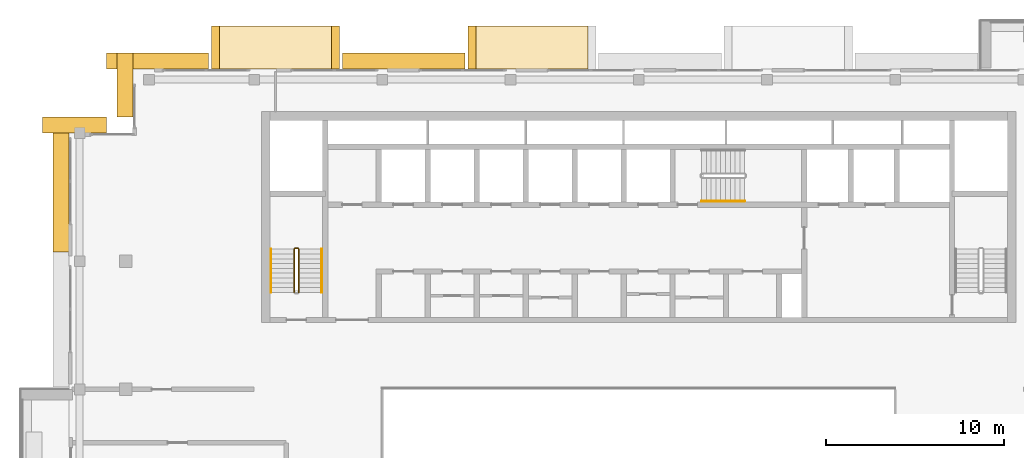
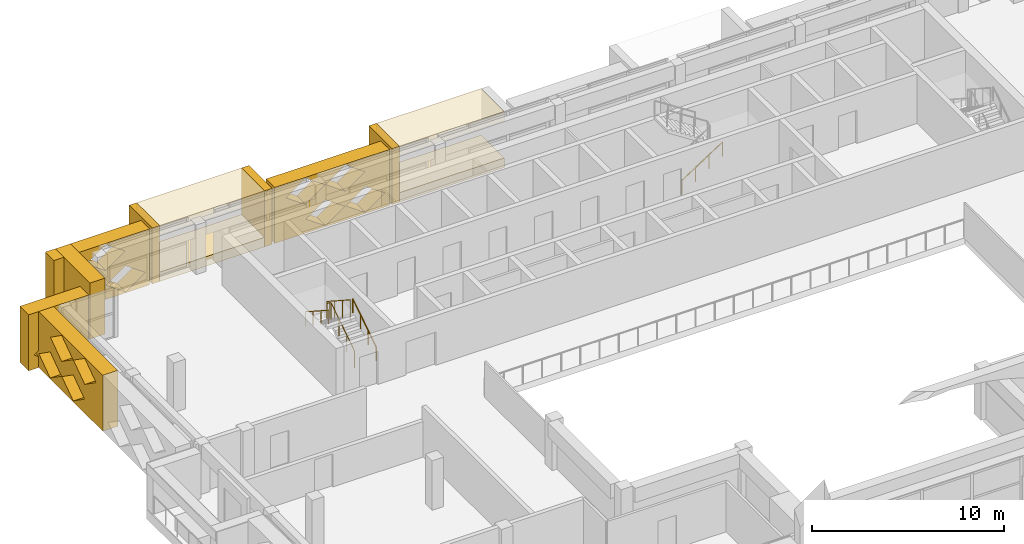
# One storey, part 20 of 22: 12 coverings, 4 railings.
"""IFC4 building model written with IfcOpenShell, lengths in metres."""

from ifc_helpers import new_model, si_unit, direction, frame, origin, origin_2d, place, context, subcontext, project, spatial, polyline, circle, outline, extrude, material, type_object, element, save


model = new_model("IFC4")

# Units and contexts
model_context = context("Model", 3, precision=1e-05, world=origin(), true_north=direction((0.0, 1.0)))
body_context = subcontext(model_context, "Body", "Model", "MODEL_VIEW")
ifc_project = project(units=[si_unit("LENGTHUNIT", "METRE"), si_unit("AREAUNIT", "SQUARE_METRE"), si_unit("VOLUMEUNIT", "CUBIC_METRE"), si_unit("PLANEANGLEUNIT", "RADIAN"), si_unit("MASSUNIT", "GRAM", prefix="KILO")], contexts=[model_context])

# Site, building, storey
site_placement = place(None, origin())
site = spatial("IfcSite", under=ifc_project, at=site_placement, CompositionType="ELEMENT")
building_placement = place(site_placement, origin())
building = spatial("IfcBuilding", under=site, at=building_placement, Name="Saffron Iwan Residences", CompositionType="ELEMENT")
storey_placement = place(building_placement, frame((0.0, 0.0, 271.0)))
storey = spatial("IfcBuildingStorey", under=building, at=storey_placement, Name="L73", CompositionType="ELEMENT", Elevation=271.0)

# Coverings
ifc_material_1 = material(Name="Precast concrete C40/50", Category="concrete")
covering_type_1 = type_object("IfcCoveringType", Name="OUTER SKIN LATTICE SCREEN", PredefinedType="CLADDING", material=ifc_material_1)
covering_1_placement = place(storey_placement, frame((40.64990234375, 80.39990234375, -0.40087890625), z_axis=(0.0, 1.0, 0.0), x_axis=(-1.0, 0.0, 0.0)))
element("IfcCovering", 1, at=covering_1_placement, inside=storey, type_object=covering_type_1, Name="OUTER SKIN lattice screen L73 F5.3", PredefinedType="CLADDING", context=body_context, shape_type="SweptSolid", body=[
    extrude(outline(polyline([(0.0, 0.0), (6.89990234375, 0.0), (6.89990234375, 3.551025390625), (0.0, 3.551025390625), (0.0, 0.0)]), holes=[polyline([(0.27001953125, 0.8876953125), (1.449951171875, 0.06005859375), (2.6298828125, 0.8876953125), (1.449951171875, 1.715576171875), (0.27001953125, 0.8876953125)]), polyline([(2.669921875, 0.8876953125), (3.85009765625, 0.06005859375), (5.030029296875, 0.8876953125), (3.85009765625, 1.715576171875), (2.669921875, 0.8876953125)]), polyline([(1.469970703125, 2.663330078125), (2.64990234375, 1.83544921875), (3.830078125, 2.663330078125), (2.64990234375, 3.490966796875), (1.469970703125, 2.663330078125)]), polyline([(3.8701171875, 2.663330078125), (5.050048828125, 1.83544921875), (6.22998046875, 2.663330078125), (5.050048828125, 3.490966796875), (3.8701171875, 2.663330078125)])]), origin(), (0.0, 0.0, 1.0), 0.900146484375),
])
covering_2_placement = place(storey_placement, frame((26.25, 80.39990234375, -0.40087890625), z_axis=(0.0, 1.0, 0.0), x_axis=(-1.0, 0.0, 0.0)))
element("IfcCovering", 2, at=covering_2_placement, inside=storey, type_object=covering_type_1, Name="OUTER SKIN lattice screen L73 F5.4", PredefinedType="CLADDING", context=body_context, shape_type="SweptSolid", body=[
    extrude(outline(polyline([(0.0, 0.0), (5.75, 0.0), (5.75, 3.551025390625), (0.0, 3.551025390625), (0.0, 0.0)]), holes=[polyline([(0.27001953125, 0.8876953125), (1.449951171875, 0.06005859375), (2.6298828125, 0.8876953125), (1.449951171875, 1.715576171875), (0.27001953125, 0.8876953125)]), polyline([(2.669921875, 0.8876953125), (3.85009765625, 0.06005859375), (5.030029296875, 0.8876953125), (3.85009765625, 1.715576171875), (2.669921875, 0.8876953125)]), polyline([(1.469970703125, 2.663330078125), (2.64990234375, 1.83544921875), (3.830078125, 2.663330078125), (2.64990234375, 3.490966796875), (1.469970703125, 2.663330078125)])]), origin(), (0.0, 0.0, 1.0), 0.900146484375),
])
for number, where, z_axis, x_axis, name in (
    (3, (22.0, 81.300048828125, -0.40087890625), (-1.0, 0.0, 0.0), (0.0, -1.0, 0.0), "OUTER SKIN lattice screen L73 F6.0"),
    (4, (20.5, 76.800048828125, -0.40087890625), (0.0, 1.0, 0.0), (-1.0, 0.0, 0.0), "OUTER SKIN lattice screen L73 F7.0"),
):
    element("IfcCovering", number, at=place(storey_placement, frame(where, z_axis=z_axis, x_axis=x_axis)), inside=storey, type_object=covering_type_1, Name=name, PredefinedType="CLADDING", context=body_context, shape_type="SweptSolid", body=[
        extrude(outline(polyline([(0.0, 0.0), (3.60009765625, 0.0), (3.60009765625, 3.551025390625), (0.0, 3.551025390625), (0.0, 0.0)]), holes=[polyline([(0.919921875, 0.8876953125), (2.10009765625, 0.06005859375), (3.280029296875, 0.8876953125), (2.10009765625, 1.715576171875), (0.919921875, 0.8876953125)])]), origin(), (0.0, 0.0, 1.0), 0.89990234375),
    ])
covering_3_placement = place(storey_placement, frame((18.39990234375, 77.699951171875, -0.40087890625), z_axis=(-1.0, 0.0, 0.0), x_axis=(0.0, -1.0, 0.0)))
element("IfcCovering", 5, at=covering_3_placement, inside=storey, type_object=covering_type_1, Name="OUTER SKIN lattice screen L73 F8.0", PredefinedType="CLADDING", context=body_context, shape_type="SweptSolid", body=[
    extrude(outline(polyline([(0.0, 0.0), (7.574951171875, 0.0), (7.574951171875, 3.551025390625), (0.0, 3.551025390625), (0.0, 0.0)]), holes=[polyline([(0.919921875, 0.8876953125), (2.10009765625, 0.06005859375), (3.280029296875, 0.8876953125), (2.10009765625, 1.715576171875), (0.919921875, 0.8876953125)]), polyline([(3.320068359375, 0.8876953125), (4.5, 0.06005859375), (5.679931640625, 0.8876953125), (4.5, 1.715576171875), (3.320068359375, 0.8876953125)]), polyline([(2.1201171875, 2.663330078125), (3.300048828125, 1.83544921875), (4.47998046875, 2.663330078125), (3.300048828125, 3.490966796875), (2.1201171875, 2.663330078125)]), polyline([(4.52001953125, 2.663330078125), (5.699951171875, 1.83544921875), (6.8798828125, 2.663330078125), (5.699951171875, 3.490966796875), (4.52001953125, 2.663330078125)])]), origin(), (0.0, 0.0, 1.0), 0.89990234375),
])

# Railings
ifc_material_2 = material(Name="Steel S355", Category="steel")
railing_type_1 = type_object("IfcRailingType", Name="Stair guard 1100", PredefinedType="GUARDRAIL", material=ifc_material_2)
railing_1_placement = place(storey_placement, frame((31.300048828125, 67.85009765625, 0.175048828125)))
element("IfcRailing", 6, at=railing_1_placement, inside=storey, type_object=railing_type_1, Name="L73 ST-W stair guard 1", PredefinedType="GUARDRAIL", context=body_context, shape_type="SweptSolid", body=[
    extrude(circle(Radius=0.02392578125, at=origin_2d()), frame((0.0, 0.0, 1.076171875), z_axis=(0.0, 0.839153699163, 0.543894354798), x_axis=(-1.0, 0.0, 0.0)), (0.0, 0.0, 1.0), 2.895751953125),
    extrude(circle(Radius=0.02392578125, at=origin_2d()), frame((0.0, 2.429931640625, 2.65087890625), z_axis=(-0.707106781187, 0.707106781187, 0.0), x_axis=(-0.707106781187, -0.707106781187, 0.0)), (0.0, 0.0, 1.0), 0.07080078125),
    extrude(circle(Radius=0.02392578125, at=origin_2d()), frame((-0.050048828125, 2.47998046875, 2.65087890625), z_axis=(-1.0, 0.0, 0.0), x_axis=(0.0, -1.0, 0.0)), (0.0, 0.0, 1.0), 0.14990234375),
    extrude(circle(Radius=0.02392578125, at=origin_2d()), frame((-0.199951171875, 2.47998046875, 2.65087890625), z_axis=(-0.265065253269, -0.265065253269, 0.927081885822), x_axis=(0.707106781187, -0.707106781187, 0.0)), (0.0, 0.0, 1.0), 0.188720703125),
    extrude(circle(Radius=0.02392578125, at=origin_2d()), frame((-0.25, 2.429931640625, 2.826171875), z_axis=(0.0, -0.839153699163, 0.543894354798), x_axis=(1.0, 0.0, 0.0)), (0.0, 0.0, 1.0), 2.895751953125),
    extrude(circle(Radius=0.02099609375, at=origin_2d()), origin(), (0.0, 0.0, 1.0), 1.052001953125),
    extrude(circle(Radius=0.02099609375, at=origin_2d()), frame((0.0, 0.81005859375, 0.52490234375)), (0.0, 0.0, 1.0), 1.052001953125),
    extrude(circle(Radius=0.02099609375, at=origin_2d()), frame((0.0, 1.619873046875, 1.050048828125)), (0.0, 0.0, 1.0), 1.052001953125),
    extrude(circle(Radius=0.02099609375, at=origin_2d()), frame((0.0, 2.429931640625, 1.574951171875)), (0.0, 0.0, 1.0), 1.052001953125),
    extrude(circle(Radius=0.02099609375, at=origin_2d()), frame((-0.050048828125, 2.47998046875, 1.574951171875)), (0.0, 0.0, 1.0), 1.052001953125),
    extrude(circle(Radius=0.02099609375, at=origin_2d()), frame((-0.199951171875, 2.47998046875, 1.574951171875)), (0.0, 0.0, 1.0), 1.052001953125),
    extrude(circle(Radius=0.02099609375, at=origin_2d()), frame((-0.25, 2.429931640625, 1.75)), (0.0, 0.0, 1.0), 1.052001953125),
    extrude(circle(Radius=0.02099609375, at=origin_2d()), frame((-0.25, 1.619873046875, 2.27490234375)), (0.0, 0.0, 1.0), 1.052001953125),
    extrude(circle(Radius=0.02099609375, at=origin_2d()), frame((-0.25, 0.81005859375, 2.800048828125)), (0.0, 0.0, 1.0), 1.052001953125),
    extrude(circle(Radius=0.02099609375, at=origin_2d()), frame((-0.25, 0.0, 3.324951171875)), (0.0, 0.0, 1.0), 1.052001953125),
])
ifc_material_3 = material(Name="Stainless steel 316", Category="steel")
railing_type_2 = type_object("IfcRailingType", Name="Stair handrail 900", PredefinedType="HANDRAIL", material=ifc_material_3)
railing_2_placement = place(storey_placement, frame((32.60009765625, 67.85009765625, 0.175048828125)))
element("IfcRailing", 7, at=railing_2_placement, inside=storey, type_object=railing_type_2, Name="L73 ST-W stair handrail 1", PredefinedType="HANDRAIL", context=body_context, shape_type="SweptSolid", body=[
    extrude(circle(Radius=0.02392578125, at=origin_2d()), frame((0.0, 0.0, 0.8759765625), z_axis=(0.0, 0.839153699163, 0.543894354798), x_axis=(-1.0, 0.0, 0.0)), (0.0, 0.0, 1.0), 2.895751953125),
    extrude(circle(Radius=0.02099609375, at=origin_2d()), origin(), (0.0, 0.0, 1.0), 0.851806640625),
    extrude(circle(Radius=0.02099609375, at=origin_2d()), frame((0.0, 0.81005859375, 0.52490234375)), (0.0, 0.0, 1.0), 0.851806640625),
    extrude(circle(Radius=0.02099609375, at=origin_2d()), frame((0.0, 1.619873046875, 1.050048828125)), (0.0, 0.0, 1.0), 0.851806640625),
    extrude(circle(Radius=0.02099609375, at=origin_2d()), frame((0.0, 2.429931640625, 1.574951171875)), (0.0, 0.0, 1.0), 0.851806640625),
])
railing_3_placement = place(storey_placement, frame((29.75, 70.280029296875, 1.925048828125)))
element("IfcRailing", 8, at=railing_3_placement, inside=storey, type_object=railing_type_2, Name="L73 ST-W stair handrail 2", PredefinedType="HANDRAIL", context=body_context, shape_type="SweptSolid", body=[
    extrude(circle(Radius=0.02392578125, at=origin_2d()), frame((0.0, 0.0, 0.8759765625), z_axis=(0.0, -0.839153699163, 0.543894354798), x_axis=(1.0, 0.0, 0.0)), (0.0, 0.0, 1.0), 2.895751953125),
    extrude(circle(Radius=0.02099609375, at=origin_2d()), origin(), (0.0, 0.0, 1.0), 0.851806640625),
    extrude(circle(Radius=0.02099609375, at=origin_2d()), frame((0.0, -0.81005859375, 0.52490234375)), (0.0, 0.0, 1.0), 0.851806640625),
    extrude(circle(Radius=0.02099609375, at=origin_2d()), frame((0.0, -1.619873046875, 1.050048828125)), (0.0, 0.0, 1.0), 0.851806640625),
    extrude(circle(Radius=0.02099609375, at=origin_2d()), frame((0.0, -2.429931640625, 1.574951171875)), (0.0, 0.0, 1.0), 0.851806640625),
])
railing_4_placement = place(storey_placement, frame((53.925048828125, 72.97509765625, 0.175048828125)))
element("IfcRailing", 9, at=railing_4_placement, inside=storey, type_object=railing_type_2, Name="L73 ST-C stair handrail 1", PredefinedType="HANDRAIL", context=body_context, shape_type="SweptSolid", body=[
    extrude(circle(Radius=0.02392578125, at=origin_2d()), frame((0.0, 0.0, 0.8759765625), z_axis=(0.839153699163, 0.0, 0.543894354798), x_axis=(0.0, 1.0, 0.0)), (0.0, 0.0, 1.0), 2.895751953125),
    extrude(circle(Radius=0.02099609375, at=origin_2d()), origin(), (0.0, 0.0, 1.0), 0.851806640625),
    extrude(circle(Radius=0.02099609375, at=origin_2d()), frame((0.81005859375, 0.0, 0.52490234375)), (0.0, 0.0, 1.0), 0.851806640625),
    extrude(circle(Radius=0.02099609375, at=origin_2d()), frame((1.619873046875, 0.0, 1.050048828125)), (0.0, 0.0, 1.0), 0.851806640625),
    extrude(circle(Radius=0.02099609375, at=origin_2d()), frame((2.429931640625, 0.0, 1.574951171875)), (0.0, 0.0, 1.0), 0.851806640625),
])

# Coverings
ifc_material_4 = material(Name="Precast concrete C40/50 white painted", Category="concrete")
covering_type_2 = type_object("IfcCoveringType", Name="WHITE SUN FRAME PRECAST", PredefinedType="CLADDING", material=ifc_material_4)
covering_4_placement = place(storey_placement, frame((41.25, 80.39990234375, -0.40087890625), z_axis=(0.0, 1.0, 0.0), x_axis=(-1.0, 0.0, 0.0)))
element("IfcCovering", 10, at=covering_4_placement, inside=storey, type_object=covering_type_2, Name="Sun frame L73 F5 30.8b", PredefinedType="CLADDING", context=body_context, shape_type="SweptSolid", body=[
    extrude(outline(polyline([(0.0, 0.0), (0.449951171875, 0.0), (0.449951171875, 3.551025390625), (0.0, 3.551025390625), (0.0, 0.0)])), origin(), (0.0, 0.0, 1.0), 2.400146484375),
])
for number, where, z_axis, x_axis, name in (
    (11, (47.550048828125, 80.39990234375, 2.550048828125), (0.0, 1.0, 0.0), (-1.0, 0.0, 0.0), "Sun frame L73 F5 30.8h"),
    (12, (47.550048828125, 80.39990234375, -0.40087890625), (0.0, 1.0, 0.0), (-1.0, 0.0, 0.0), "Sun frame L73 F5 30.8s"),
):
    element("IfcCovering", number, at=place(storey_placement, frame(where, z_axis=z_axis, x_axis=x_axis)), inside=storey, type_object=covering_type_2, Name=name, PredefinedType="CLADDING", context=body_context, shape_type="SweptSolid", body=[
        extrude(outline(polyline([(0.0, 0.0), (6.300048828125, 0.0), (6.300048828125, 0.60009765625), (0.0, 0.60009765625), (0.0, 0.0)])), origin(), (0.0, 0.0, 1.0), 2.400146484375),
    ])
for number, where, z_axis, x_axis, name in (
    (13, (33.60009765625, 80.39990234375, -0.40087890625), (0.0, 1.0, 0.0), (-1.0, 0.0, 0.0), "Sun frame L73 F5 45.2a"),
    (14, (26.85009765625, 80.39990234375, -0.40087890625), (0.0, 1.0, 0.0), (-1.0, 0.0, 0.0), "Sun frame L73 F5 45.2b"),
):
    element("IfcCovering", number, at=place(storey_placement, frame(where, z_axis=z_axis, x_axis=x_axis)), inside=storey, type_object=covering_type_2, Name=name, PredefinedType="CLADDING", context=body_context, shape_type="SweptSolid", body=[
        extrude(outline(polyline([(0.0, 0.0), (0.449951171875, 0.0), (0.449951171875, 3.551025390625), (0.0, 3.551025390625), (0.0, 0.0)])), origin(), (0.0, 0.0, 1.0), 2.400146484375),
    ])
for number, where, z_axis, x_axis, name in (
    (15, (33.14990234375, 80.39990234375, 2.550048828125), (0.0, 1.0, 0.0), (-1.0, 0.0, 0.0), "Sun frame L73 F5 45.2h"),
    (16, (33.14990234375, 80.39990234375, -0.40087890625), (0.0, 1.0, 0.0), (-1.0, 0.0, 0.0), "Sun frame L73 F5 45.2s"),
):
    element("IfcCovering", number, at=place(storey_placement, frame(where, z_axis=z_axis, x_axis=x_axis)), inside=storey, type_object=covering_type_2, Name=name, PredefinedType="CLADDING", context=body_context, shape_type="SweptSolid", body=[
        extrude(outline(polyline([(0.0, 0.0), (6.300048828125, 0.0), (6.300048828125, 0.60009765625), (0.0, 0.60009765625), (0.0, 0.0)])), origin(), (0.0, 0.0, 1.0), 2.400146484375),
    ])

save(model, "model.ifc")
